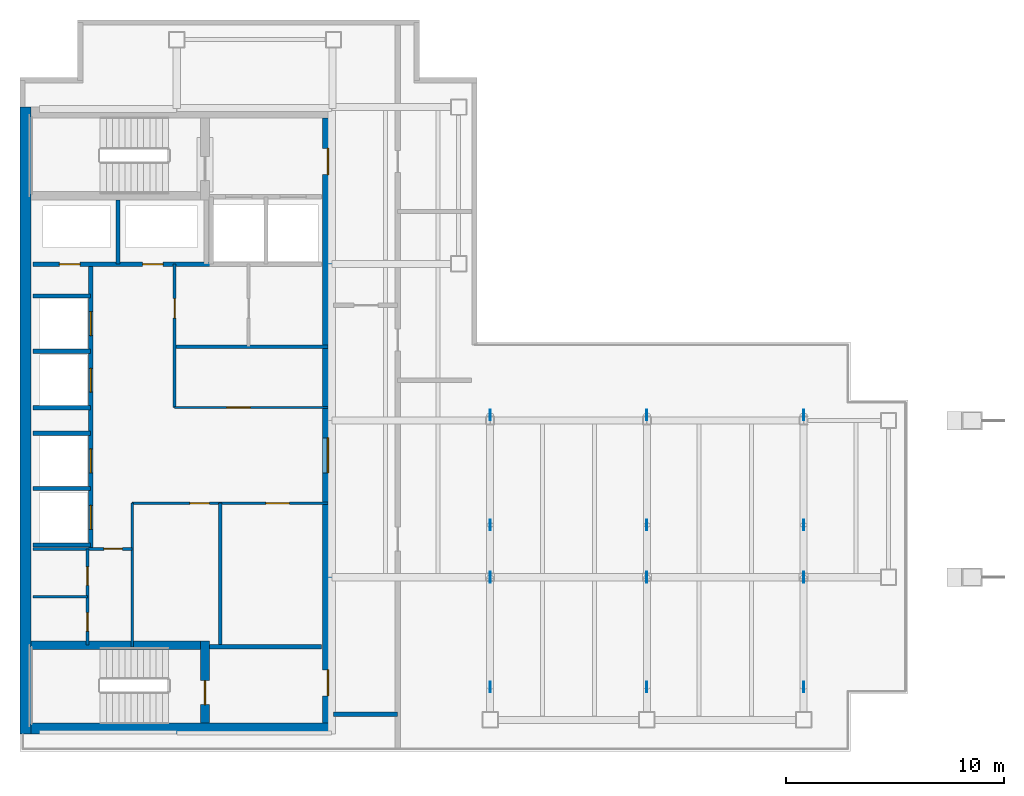
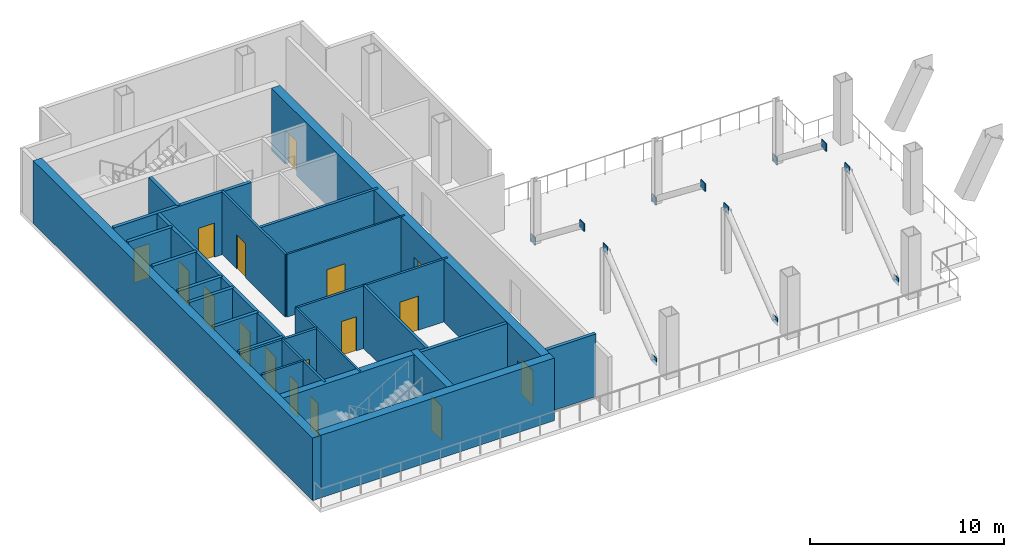
# One storey, part 3 of 5: 25 walls, 17 doors, 12 plates, 17 openings.
"""IFC4 building model written with IfcOpenShell, lengths in metres."""

from ifc_helpers import new_model, si_unit, direction, frame, frame_2d, origin, origin_2d, place, context, subcontext, project, spatial, rectangle, extrude, material, layer, layer_set, type_object, element, fill, save


model = new_model("IFC4")

# Units and contexts
model_context = context("Model", 3, precision=1e-05, world=origin(), true_north=direction((0.0, 1.0)))
body_context = subcontext(model_context, "Body", "Model", "MODEL_VIEW")
ifc_project = project(units=[si_unit("LENGTHUNIT", "METRE"), si_unit("AREAUNIT", "SQUARE_METRE"), si_unit("VOLUMEUNIT", "CUBIC_METRE"), si_unit("PLANEANGLEUNIT", "RADIAN"), si_unit("MASSUNIT", "GRAM", prefix="KILO")], contexts=[model_context])

# Site, building, storey
site_placement = place(None, origin())
site = spatial("IfcSite", under=ifc_project, at=site_placement, CompositionType="ELEMENT")
building_placement = place(site_placement, origin())
building = spatial("IfcBuilding", under=site, at=building_placement, Name="Cobrela Telecom Tower", CompositionType="ELEMENT")
storey_placement = place(building_placement, frame((0.0, 0.0, 236.949951171875)))
storey = spatial("IfcBuildingStorey", under=building, at=storey_placement, Name="L61", CompositionType="ELEMENT", Elevation=236.949951171875)

# Plates
ifc_material_1 = material(Name="Steel ASTM A572 Grade 50", Category="steel")
ifc_layer_1 = layer(ifc_material_1, 0.0419921875)
ifc_layer_set_1 = layer_set([ifc_layer_1], Name="Steel ASTM A572 Grade 50")
plate_type = type_object("IfcPlateType", Name="PLT-NODE-ND11", PredefinedType="USERDEFINED", material=ifc_layer_set_1)
for number, where, z_axis, x_axis, name in (
    (1, (21.60009765625, 9.35693359375, -0.241943359375), (0.0, 0.0, 1.0), (0.0, 1.0, 0.0), "Steel node plate PLT-MBR-TURB-1-L61-S-0"),
    (2, (21.60009765625, 14.39990234375, 3.697998046875), (0.0, 0.0, 1.0), (0.0, 1.0, 0.0), "Steel node plate PLT-MBR-TURB-1-L61-S-1"),
    (3, (21.60009765625, 21.843017578125, -0.241943359375), (0.0, 0.0, 1.0), (0.0, -1.0, 0.0), "Steel node plate PLT-MBR-TURB-1-L61-N-0"),
    (4, (21.60009765625, 16.800048828125, 3.697998046875), (0.0, 0.0, 1.0), (0.0, -1.0, 0.0), "Steel node plate PLT-MBR-TURB-1-L61-N-1"),
    (5, (28.800048828125, 9.35693359375, -0.241943359375), (0.0, 0.0, 1.0), (0.0, 1.0, 0.0), "Steel node plate PLT-MBR-TURB-2-L61-S-0"),
    (6, (28.800048828125, 14.39990234375, 3.697998046875), (0.0, 0.0, 1.0), (0.0, 1.0, 0.0), "Steel node plate PLT-MBR-TURB-2-L61-S-1"),
    (7, (28.800048828125, 21.843017578125, -0.241943359375), (0.0, 0.0, 1.0), (0.0, -1.0, 0.0), "Steel node plate PLT-MBR-TURB-2-L61-N-0"),
    (8, (28.800048828125, 16.800048828125, 3.697998046875), (0.0, 0.0, 1.0), (0.0, -1.0, 0.0), "Steel node plate PLT-MBR-TURB-2-L61-N-1"),
    (9, (36.0, 9.35693359375, -0.241943359375), (0.0, 0.0, 1.0), (0.0, 1.0, 0.0), "Steel node plate PLT-MBR-TURB-3-L61-S-0"),
    (10, (36.0, 14.39990234375, 3.697998046875), (0.0, 0.0, 1.0), (0.0, 1.0, 0.0), "Steel node plate PLT-MBR-TURB-3-L61-S-1"),
    (11, (36.0, 21.843017578125, -0.241943359375), (0.0, 0.0, 1.0), (0.0, -1.0, 0.0), "Steel node plate PLT-MBR-TURB-3-L61-N-0"),
    (12, (36.0, 16.800048828125, 3.697998046875), (0.0, 0.0, 1.0), (0.0, -1.0, 0.0), "Steel node plate PLT-MBR-TURB-3-L61-N-1"),
):
    element("IfcPlate", number, at=place(storey_placement, frame(where, z_axis=z_axis, x_axis=x_axis)), inside=storey, type_object=plate_type, Name=name, ObjectType="GUSSET PLATE", PredefinedType="USERDEFINED", context=body_context, shape_type="SweptSolid", body=[
        extrude(rectangle(XDim=0.48388671875, YDim=0.044921875, at=origin_2d()), origin(), (0.0, 0.0, 1.0), 0.48388671875),
    ])

# Walls
ifc_material_2 = material(Name="Concrete C40/50", Category="concrete")
ifc_layer_2 = layer(ifc_material_2, 0.5)
ifc_layer_set_2 = layer_set([ifc_layer_2], Name="Concrete C40/50")
wall_type_1 = type_object("IfcWallType", Name="WALL-CORE-C40-500", PredefinedType="SHEAR", material=ifc_layer_set_2)
wall_1_placement = place(storey_placement, frame((0.25, 7.199951171875, 0.0), z_axis=(0.0, 0.0, 1.0), x_axis=(0.0, 1.0, 0.0)))
element("IfcWall", 13, at=wall_1_placement, inside=storey, type_object=wall_type_1, Name="L61 West Core Shear Wall", PredefinedType="SHEAR", context=body_context, shape_type="SweptSolid", body=[
    extrude(rectangle(XDim=28.800048828125, YDim=0.5, at=frame_2d((14.39990234375, 0.0))), origin(), (0.0, 0.0, 1.0), 3.93994140625),
])
wall_2_placement = place(storey_placement, frame((0.5, 7.449951171875, 0.0), z_axis=(0.0, 0.0, 1.0), x_axis=(1.0, 0.0, 0.0)))
element("IfcWall", 14, at=wall_2_placement, inside=storey, type_object=wall_type_1, Name="L61 South Core Shear Wall", PredefinedType="SHEAR", context=body_context, shape_type="SweptSolid", body=[
    extrude(rectangle(XDim=13.89990234375, YDim=0.5, at=frame_2d((6.949951171875, 0.0))), origin(), (0.0, 0.0, 1.0), 3.93994140625),
])

# Wall, openings, doors
wall_3_placement = place(storey_placement, frame((14.14990234375, 35.5, 0.0), z_axis=(0.0, 0.0, 1.0), x_axis=(0.0, -1.0, 0.0)))
wall_3 = element("IfcWall", 15, at=wall_3_placement, inside=storey, type_object=wall_type_1, Name="L61 East Core Shear Wall", PredefinedType="SHEAR", context=body_context, shape_type="SweptSolid", body=[
    extrude(rectangle(XDim=27.800048828125, YDim=0.5, at=frame_2d((13.89990234375, 0.0))), origin(), (0.0, 0.0, 1.0), 3.93994140625),
])
opening_1_placement = place(wall_3_placement, frame((1.39990234375, 0.0, 0.0)))
opening_1 = element("IfcOpeningElement", 16, at=opening_1_placement, cuts=wall_3, Name="Opening DR-19", PredefinedType="OPENING", context=body_context, shape_type="SweptSolid", body=[
    extrude(rectangle(XDim=1.199951171875, YDim=2.14990234375, at=frame_2d((0.60009765625, 1.074951171875))), frame((0.0, 0.261962890625, 0.0), z_axis=(0.0, -1.0, 0.0), x_axis=(1.0, 0.0, 0.0)), (0.0, 0.0, 1.0), 0.52392578125),
])
opening_2_placement = place(wall_3_placement, frame((25.35009765625, 0.0, 0.0)))
opening_2 = element("IfcOpeningElement", 17, at=opening_2_placement, cuts=wall_3, Name="Opening DR-19", PredefinedType="OPENING", context=body_context, shape_type="SweptSolid", body=[
    extrude(rectangle(XDim=1.199951171875, YDim=2.14990234375, at=frame_2d((0.60009765625, 1.074951171875))), frame((0.0, 0.261962890625, 0.0), z_axis=(0.0, -1.0, 0.0), x_axis=(1.0, 0.0, 0.0)), (0.0, 0.0, 1.0), 0.52392578125),
])
opening_3_placement = place(wall_3_placement, frame((14.699951171875, 0.0, 0.0)))
opening_3 = element("IfcOpeningElement", 18, at=opening_3_placement, cuts=wall_3, Name="Opening DR-51", PredefinedType="OPENING", context=body_context, shape_type="SweptSolid", body=[
    extrude(rectangle(XDim=1.60009765625, YDim=2.199951171875, at=frame_2d((0.800048828125, 1.10009765625))), frame((0.0, 0.261962890625, 0.0), z_axis=(0.0, -1.0, 0.0), x_axis=(1.0, 0.0, 0.0)), (0.0, 0.0, 1.0), 0.52392578125),
])
ifc_material_3 = material(Name="Steel ASTM A36", Category="steel")
door_type_1 = type_object("IfcDoorType", Name="DOOR-FD60-1200", OperationType="SINGLE_SWING_LEFT", PredefinedType="DOOR", material=ifc_material_3)
door_1_placement = place(opening_1_placement, origin())
door_1 = element("IfcDoor", 19, at=door_1_placement, inside=storey, type_object=door_type_1, Name="L61 Door DR-19", OperationType="SINGLE_SWING_LEFT", OverallHeight=2.14990234375, OverallWidth=1.199951171875, PredefinedType="DOOR", context=body_context, shape_type="SweptSolid", body=[
    extrude(rectangle(XDim=1.199951171875, YDim=2.14990234375, at=frame_2d((0.60009765625, 1.074951171875))), frame((0.0, 0.02490234375, 0.0), z_axis=(0.0, -1.0, 0.0), x_axis=(1.0, 0.0, 0.0)), (0.0, 0.0, 1.0), 0.050048828125),
])
fill(opening_1, door_1)
door_2_placement = place(opening_2_placement, origin())
door_2 = element("IfcDoor", 20, at=door_2_placement, inside=storey, type_object=door_type_1, Name="L61 Door DR-19", OperationType="SINGLE_SWING_RIGHT", OverallHeight=2.14990234375, OverallWidth=1.199951171875, PredefinedType="DOOR", context=body_context, shape_type="SweptSolid", body=[
    extrude(rectangle(XDim=1.199951171875, YDim=2.14990234375, at=frame_2d((0.60009765625, 1.074951171875))), frame((0.0, 0.02490234375, 0.0), z_axis=(0.0, -1.0, 0.0), x_axis=(1.0, 0.0, 0.0)), (0.0, 0.0, 1.0), 0.050048828125),
])
fill(opening_2, door_2)
door_type_2 = type_object("IfcDoorType", Name="DOOR-FD60-1600", OperationType="SINGLE_SWING_LEFT", PredefinedType="DOOR", material=ifc_material_3)
door_3_placement = place(opening_3_placement, origin())
door_3 = element("IfcDoor", 21, at=door_3_placement, inside=storey, type_object=door_type_2, Name="L61 Door DR-51", OperationType="DOUBLE_DOOR_SINGLE_SWING", OverallHeight=2.199951171875, OverallWidth=1.60009765625, PredefinedType="DOOR", context=body_context, shape_type="SweptSolid", body=[
    extrude(rectangle(XDim=1.60009765625, YDim=2.199951171875, at=frame_2d((0.800048828125, 1.10009765625))), frame((0.0, 0.02490234375, 0.0), z_axis=(0.0, -1.0, 0.0), x_axis=(1.0, 0.0, 0.0)), (0.0, 0.0, 1.0), 0.050048828125),
])
fill(opening_3, door_3)

# Wall, opening, door
ifc_material_4 = material(Name="Fire-Rated Gypsum Plasterboard")
ifc_layer_3 = layer(ifc_material_4, 0.110107421875)
ifc_layer_set_3 = layer_set([ifc_layer_3], Name="Fire-Rated Gypsum Plasterboard")
wall_type_2 = type_object("IfcWallType", Name="WALL-PART-110", PredefinedType="PARTITIONING", material=ifc_layer_set_3)
wall_4_placement = place(storey_placement, frame((7.10009765625, 22.199951171875, 0.0), z_axis=(0.0, 0.0, 1.0), x_axis=(1.0, 0.0, 0.0)))
wall_4 = element("IfcWall", 22, at=wall_4_placement, inside=storey, type_object=wall_type_2, Name="L61 Interior Partition CW-RECL-S", PredefinedType="PARTITIONING", context=body_context, shape_type="SweptSolid", body=[
    extrude(rectangle(XDim=7.0498046875, YDim=0.110107421875, at=frame_2d((3.52490234375, 0.0))), origin(), (0.0, 0.0, 1.0), 3.93994140625),
])
opening_4_placement = place(wall_4_placement, frame((2.39990234375, 0.0, 0.0)))
opening_4 = element("IfcOpeningElement", 23, at=opening_4_placement, cuts=wall_4, Name="Opening DR-63", PredefinedType="OPENING", context=body_context, shape_type="SweptSolid", body=[
    extrude(rectangle(XDim=1.080078125, YDim=2.14990234375, at=frame_2d((0.5400390625, 1.074951171875))), frame((0.0, 0.06689453125, 0.0), z_axis=(0.0, -1.0, 0.0), x_axis=(1.0, 0.0, 0.0)), (0.0, 0.0, 1.0), 0.134033203125),
])
ifc_material_5 = material(Name="Solid Engineered Oak Timber", Category="wood")
door_type_3 = type_object("IfcDoorType", Name="DOOR-INT-1080", OperationType="SINGLE_SWING_LEFT", PredefinedType="DOOR", material=ifc_material_5)
door_4_placement = place(opening_4_placement, origin())
door_4 = element("IfcDoor", 24, at=door_4_placement, inside=storey, type_object=door_type_3, Name="L61 Door DR-63", OperationType="SINGLE_SWING_LEFT", OverallHeight=2.14990234375, OverallWidth=1.080078125, PredefinedType="DOOR", context=body_context, shape_type="SweptSolid", body=[
    extrude(rectangle(XDim=1.080078125, YDim=2.14990234375, at=frame_2d((0.5400390625, 1.074951171875))), frame((0.0, 0.02490234375, 0.0), z_axis=(0.0, -1.0, 0.0), x_axis=(1.0, 0.0, 0.0)), (0.0, 0.0, 1.0), 0.050048828125),
])
fill(opening_4, door_4)

# Walls
wall_5_placement = place(storey_placement, frame((5.14990234375, 11.199951171875, 0.0), z_axis=(0.0, 0.0, 1.0), x_axis=(0.0, 1.0, 0.0)))
element("IfcWall", 25, at=wall_5_placement, inside=storey, type_object=wall_type_2, Name="L61 Interior Partition CW-RECM-W", PredefinedType="PARTITIONING", context=body_context, shape_type="SweptSolid", body=[
    extrude(rectangle(XDim=6.60009765625, YDim=0.110107421875, at=frame_2d((3.300048828125, 0.0))), origin(), (0.0, 0.0, 1.0), 3.93994140625),
])
ifc_layer_4 = layer(ifc_material_4, 0.125)
ifc_layer_set_4 = layer_set([ifc_layer_4], Name="Fire-Rated Gypsum Plasterboard")
wall_type_3 = type_object("IfcWallType", Name="WALL-PART-125", PredefinedType="PARTITIONING", material=ifc_layer_set_4)
wall_6_placement = place(storey_placement, frame((0.60009765625, 13.5, 0.0), z_axis=(0.0, 0.0, 1.0), x_axis=(1.0, 0.0, 0.0)))
element("IfcWall", 26, at=wall_6_placement, inside=storey, type_object=wall_type_3, Name="L61 Interior Partition CW-FK3-H", PredefinedType="PARTITIONING", context=body_context, shape_type="SweptSolid", body=[
    extrude(rectangle(XDim=2.5, YDim=0.125, at=frame_2d((1.25, 0.0))), origin(), (0.0, 0.0, 1.0), 3.93994140625),
])

# Wall, openings, doors
wall_7_placement = place(storey_placement, frame((3.10009765625, 11.280029296875, 0.0), z_axis=(0.0, 0.0, 1.0), x_axis=(0.0, 1.0, 0.0)))
wall_7 = element("IfcWall", 27, at=wall_7_placement, inside=storey, type_object=wall_type_3, Name="L61 Interior Partition CW-FK3-V", PredefinedType="PARTITIONING", context=body_context, shape_type="SweptSolid", body=[
    extrude(rectangle(XDim=4.419921875, YDim=0.125, at=frame_2d((2.2099609375, 0.0))), origin(), (0.0, 0.0, 1.0), 3.93994140625),
])
opening_5_placement = place(wall_7_placement, frame((0.64990234375, 0.0, 0.0)))
opening_5 = element("IfcOpeningElement", 28, at=opening_5_placement, cuts=wall_7, Name="Opening DR-11", PredefinedType="OPENING", context=body_context, shape_type="SweptSolid", body=[
    extrude(rectangle(XDim=0.85009765625, YDim=2.14990234375, at=frame_2d((0.425048828125, 1.074951171875))), frame((0.0, 0.074462890625, 0.0), z_axis=(0.0, -1.0, 0.0), x_axis=(1.0, 0.0, 0.0)), (0.0, 0.0, 1.0), 0.14892578125),
])
opening_6_placement = place(wall_7_placement, frame((2.75, 0.0, 0.0)))
opening_6 = element("IfcOpeningElement", 29, at=opening_6_placement, cuts=wall_7, Name="Opening DR-11", PredefinedType="OPENING", context=body_context, shape_type="SweptSolid", body=[
    extrude(rectangle(XDim=0.85009765625, YDim=2.14990234375, at=frame_2d((0.425048828125, 1.074951171875))), frame((0.0, 0.074462890625, 0.0), z_axis=(0.0, -1.0, 0.0), x_axis=(1.0, 0.0, 0.0)), (0.0, 0.0, 1.0), 0.14892578125),
])
door_type_4 = type_object("IfcDoorType", Name="DOOR-INT-850", OperationType="SINGLE_SWING_LEFT", PredefinedType="DOOR", material=ifc_material_5)
door_5_placement = place(opening_5_placement, origin())
door_5 = element("IfcDoor", 30, at=door_5_placement, inside=storey, type_object=door_type_4, Name="L61 Door DR-11", OperationType="SINGLE_SWING_LEFT", OverallHeight=2.14990234375, OverallWidth=0.85009765625, PredefinedType="DOOR", context=body_context, shape_type="SweptSolid", body=[
    extrude(rectangle(XDim=0.85009765625, YDim=2.14990234375, at=frame_2d((0.425048828125, 1.074951171875))), frame((0.0, 0.02490234375, 0.0), z_axis=(0.0, -1.0, 0.0), x_axis=(1.0, 0.0, 0.0)), (0.0, 0.0, 1.0), 0.050048828125),
])
fill(opening_5, door_5)
door_6_placement = place(opening_6_placement, origin())
door_6 = element("IfcDoor", 31, at=door_6_placement, inside=storey, type_object=door_type_4, Name="L61 Door DR-11", OperationType="SINGLE_SWING_RIGHT", OverallHeight=2.14990234375, OverallWidth=0.85009765625, PredefinedType="DOOR", context=body_context, shape_type="SweptSolid", body=[
    extrude(rectangle(XDim=0.85009765625, YDim=2.14990234375, at=frame_2d((0.425048828125, 1.074951171875))), frame((0.0, 0.02490234375, 0.0), z_axis=(0.0, -1.0, 0.0), x_axis=(1.0, 0.0, 0.0)), (0.0, 0.0, 1.0), 0.050048828125),
])
fill(opening_6, door_6)

# Wall, opening, door
ifc_layer_5 = layer(ifc_material_4, 0.135009765625)
ifc_layer_set_5 = layer_set([ifc_layer_5], Name="Fire-Rated Gypsum Plasterboard")
wall_type_4 = type_object("IfcWallType", Name="WALL-PART-135", PredefinedType="PARTITIONING", material=ifc_layer_set_5)
wall_8_placement = place(storey_placement, frame((7.10009765625, 22.199951171875, 0.0), z_axis=(0.0, 0.0, 1.0), x_axis=(0.0, 1.0, 0.0)))
wall_8 = element("IfcWall", 32, at=wall_8_placement, inside=storey, type_object=wall_type_4, Name="L61 Interior Partition CW-RECL-W", PredefinedType="PARTITIONING", context=body_context, shape_type="SweptSolid", body=[
    extrude(rectangle(XDim=6.580078125, YDim=0.135009765625, at=frame_2d((3.2900390625, 0.0))), origin(), (0.0, 0.0, 1.0), 3.93994140625),
])
opening_7_placement = place(wall_8_placement, frame((4.10009765625, 0.0, 0.0)))
opening_7 = element("IfcOpeningElement", 33, at=opening_7_placement, cuts=wall_8, Name="Opening DR-41", PredefinedType="OPENING", context=body_context, shape_type="SweptSolid", body=[
    extrude(rectangle(XDim=0.89990234375, YDim=2.14990234375, at=frame_2d((0.449951171875, 1.074951171875))), frame((0.0, 0.07958984375, 0.0), z_axis=(0.0, -1.0, 0.0), x_axis=(1.0, 0.0, 0.0)), (0.0, 0.0, 1.0), 0.158935546875),
])
door_type_5 = type_object("IfcDoorType", Name="DOOR-INT-900", OperationType="SINGLE_SWING_LEFT", PredefinedType="DOOR", material=ifc_material_5)
door_7_placement = place(opening_7_placement, origin())
door_7 = element("IfcDoor", 34, at=door_7_placement, inside=storey, type_object=door_type_5, Name="L61 Door DR-41", OperationType="SINGLE_SWING_RIGHT", OverallHeight=2.14990234375, OverallWidth=0.89990234375, PredefinedType="DOOR", context=body_context, shape_type="SweptSolid", body=[
    extrude(rectangle(XDim=0.89990234375, YDim=2.14990234375, at=frame_2d((0.449951171875, 1.074951171875))), frame((0.0, 0.02490234375, 0.0), z_axis=(0.0, -1.0, 0.0), x_axis=(1.0, 0.0, 0.0)), (0.0, 0.0, 1.0), 0.050048828125),
])
fill(opening_7, door_7)

# Wall, openings, doors
wall_9_placement = place(storey_placement, frame((5.14990234375, 17.800048828125, 0.0), z_axis=(0.0, 0.0, 1.0), x_axis=(1.0, 0.0, 0.0)))
wall_9 = element("IfcWall", 35, at=wall_9_placement, inside=storey, type_object=wall_type_4, Name="L61 Interior Partition CW-RECM-N", PredefinedType="PARTITIONING", context=body_context, shape_type="SweptSolid", body=[
    extrude(rectangle(XDim=9.0, YDim=0.135009765625, at=frame_2d((4.5, 0.0))), origin(), (0.0, 0.0, 1.0), 3.93994140625),
])
opening_8_placement = place(wall_9_placement, frame((2.64990234375, 0.0, 0.0)))
opening_8 = element("IfcOpeningElement", 36, at=opening_8_placement, cuts=wall_9, Name="Opening DR-41", PredefinedType="OPENING", context=body_context, shape_type="SweptSolid", body=[
    extrude(rectangle(XDim=0.89990234375, YDim=2.14990234375, at=frame_2d((0.449951171875, 1.074951171875))), frame((0.0, 0.07958984375, 0.0), z_axis=(0.0, -1.0, 0.0), x_axis=(1.0, 0.0, 0.0)), (0.0, 0.0, 1.0), 0.158935546875),
])
opening_9_placement = place(wall_9_placement, frame((6.14990234375, 0.0, 0.0)))
opening_9 = element("IfcOpeningElement", 37, at=opening_9_placement, cuts=wall_9, Name="Opening DR-63", PredefinedType="OPENING", context=body_context, shape_type="SweptSolid", body=[
    extrude(rectangle(XDim=1.080078125, YDim=2.14990234375, at=frame_2d((0.5400390625, 1.074951171875))), frame((0.0, 0.07958984375, 0.0), z_axis=(0.0, -1.0, 0.0), x_axis=(1.0, 0.0, 0.0)), (0.0, 0.0, 1.0), 0.158935546875),
])
door_8_placement = place(opening_9_placement, origin())
door_8 = element("IfcDoor", 38, at=door_8_placement, inside=storey, type_object=door_type_3, Name="L61 Door DR-63", OperationType="SINGLE_SWING_RIGHT", OverallHeight=2.14990234375, OverallWidth=1.080078125, PredefinedType="DOOR", context=body_context, shape_type="SweptSolid", body=[
    extrude(rectangle(XDim=1.080078125, YDim=2.14990234375, at=frame_2d((0.5400390625, 1.074951171875))), frame((0.0, 0.02490234375, 0.0), z_axis=(0.0, -1.0, 0.0), x_axis=(1.0, 0.0, 0.0)), (0.0, 0.0, 1.0), 0.050048828125),
])
fill(opening_9, door_8)
door_9_placement = place(opening_8_placement, origin())
door_9 = element("IfcDoor", 39, at=door_9_placement, inside=storey, type_object=door_type_5, Name="L61 Door DR-41", OperationType="SINGLE_SWING_LEFT", OverallHeight=2.14990234375, OverallWidth=0.89990234375, PredefinedType="DOOR", context=body_context, shape_type="SweptSolid", body=[
    extrude(rectangle(XDim=0.89990234375, YDim=2.14990234375, at=frame_2d((0.449951171875, 1.074951171875))), frame((0.0, 0.02490234375, 0.0), z_axis=(0.0, -1.0, 0.0), x_axis=(1.0, 0.0, 0.0)), (0.0, 0.0, 1.0), 0.050048828125),
])
fill(opening_8, door_9)

# Wall, opening, door
ifc_layer_6 = layer(ifc_material_4, 0.14990234375)
ifc_layer_set_6 = layer_set([ifc_layer_6], Name="Fire-Rated Gypsum Plasterboard")
wall_type_5 = type_object("IfcWallType", Name="WALL-PART-150", PredefinedType="PARTITIONING", material=ifc_layer_set_6)
wall_10_placement = place(storey_placement, frame((0.60009765625, 15.699951171875, 0.0), z_axis=(0.0, 0.0, 1.0), x_axis=(1.0, 0.0, 0.0)))
wall_10 = element("IfcWall", 40, at=wall_10_placement, inside=storey, type_object=wall_type_5, Name="L61 Interior Partition CW-FLEX-N", PredefinedType="PARTITIONING", context=body_context, shape_type="SweptSolid", body=[
    extrude(rectangle(XDim=4.5498046875, YDim=0.14990234375, at=frame_2d((2.27490234375, 0.0))), origin(), (0.0, 0.0, 1.0), 3.93994140625),
])
opening_10_placement = place(wall_10_placement, frame((3.25, 0.0, 0.0)))
opening_10 = element("IfcOpeningElement", 41, at=opening_10_placement, cuts=wall_10, Name="Opening DR-11", PredefinedType="OPENING", context=body_context, shape_type="SweptSolid", body=[
    extrude(rectangle(XDim=0.85009765625, YDim=2.14990234375, at=frame_2d((0.425048828125, 1.074951171875))), frame((0.0, 0.0869140625, 0.0), z_axis=(0.0, -1.0, 0.0), x_axis=(1.0, 0.0, 0.0)), (0.0, 0.0, 1.0), 0.173828125),
])
door_10_placement = place(opening_10_placement, origin())
door_10 = element("IfcDoor", 42, at=door_10_placement, inside=storey, type_object=door_type_4, Name="L61 Door DR-11", OperationType="SINGLE_SWING_LEFT", OverallHeight=2.14990234375, OverallWidth=0.85009765625, PredefinedType="DOOR", context=body_context, shape_type="SweptSolid", body=[
    extrude(rectangle(XDim=0.85009765625, YDim=2.14990234375, at=frame_2d((0.425048828125, 1.074951171875))), frame((0.0, 0.02490234375, 0.0), z_axis=(0.0, -1.0, 0.0), x_axis=(1.0, 0.0, 0.0)), (0.0, 0.0, 1.0), 0.050048828125),
])
fill(opening_10, door_10)

# Walls
ifc_layer_7 = layer(ifc_material_4, 0.159912109375)
ifc_layer_set_7 = layer_set([ifc_layer_7], Name="Fire-Rated Gypsum Plasterboard")
wall_type_6 = type_object("IfcWallType", Name="WALL-PART-160", PredefinedType="PARTITIONING", material=ifc_layer_set_7)
wall_11_placement = place(storey_placement, frame((7.10009765625, 25.0, 0.0), z_axis=(0.0, 0.0, 1.0), x_axis=(1.0, 0.0, 0.0)))
element("IfcWall", 43, at=wall_11_placement, inside=storey, type_object=wall_type_6, Name="L61 Interior Partition CW-RECL-H", PredefinedType="PARTITIONING", context=body_context, shape_type="SweptSolid", body=[
    extrude(rectangle(XDim=7.0498046875, YDim=0.159912109375, at=frame_2d((3.52490234375, 0.0))), origin(), (0.0, 0.0, 1.0), 3.93994140625),
])
wall_12_placement = place(storey_placement, frame((9.199951171875, 11.199951171875, 0.0), z_axis=(0.0, 0.0, 1.0), x_axis=(0.0, 1.0, 0.0)))
element("IfcWall", 44, at=wall_12_placement, inside=storey, type_object=wall_type_6, Name="L61 Interior Partition CW-RECM-V", PredefinedType="PARTITIONING", context=body_context, shape_type="SweptSolid", body=[
    extrude(rectangle(XDim=6.60009765625, YDim=0.159912109375, at=frame_2d((3.300048828125, 0.0))), origin(), (0.0, 0.0, 1.0), 3.93994140625),
])
ifc_layer_8 = layer(ifc_material_4, 0.199951171875)
ifc_layer_set_8 = layer_set([ifc_layer_8], Name="Fire-Rated Gypsum Plasterboard")
wall_type_7 = type_object("IfcWallType", Name="WALL-SHAFT-200", PredefinedType="PARTITIONING", material=ifc_layer_set_8)
wall_13_placement = place(storey_placement, frame((8.699951171875, 11.199951171875, 0.0), z_axis=(0.0, 0.0, 1.0), x_axis=(1.0, 0.0, 0.0)))
element("IfcWall", 45, at=wall_13_placement, inside=storey, type_object=wall_type_7, Name="L61 Shaft Enclosure CW-ST2L-N", PredefinedType="PARTITIONING", context=body_context, shape_type="SweptSolid", body=[
    extrude(rectangle(XDim=5.150146484375, YDim=0.199951171875, at=frame_2d((2.5751953125, 0.0))), origin(), (0.0, 0.0, 1.0), 3.93994140625),
])

# Wall, openings, doors
wall_14_placement = place(storey_placement, frame((0.60009765625, 28.780029296875, 0.0), z_axis=(0.0, 0.0, 1.0), x_axis=(1.0, 0.0, 0.0)))
wall_14 = element("IfcWall", 46, at=wall_14_placement, inside=storey, type_object=wall_type_7, Name="L61 Shaft Enclosure CW-RIS-S", PredefinedType="PARTITIONING", context=body_context, shape_type="SweptSolid", body=[
    extrude(rectangle(XDim=8.179931640625, YDim=0.199951171875, at=frame_2d((4.08984375, 0.0))), origin(), (0.0, 0.0, 1.0), 3.93994140625),
])
opening_11_placement = place(wall_14_placement, frame((1.2099609375, 0.0, 0.0)))
opening_11 = element("IfcOpeningElement", 47, at=opening_11_placement, cuts=wall_14, Name="Opening DR-65", PredefinedType="OPENING", context=body_context, shape_type="SweptSolid", body=[
    extrude(rectangle(XDim=0.949951171875, YDim=2.14990234375, at=frame_2d((0.47509765625, 1.074951171875))), frame((0.0, 0.11181640625, 0.0), z_axis=(0.0, -1.0, 0.0), x_axis=(1.0, 0.0, 0.0)), (0.0, 0.0, 1.0), 0.223876953125),
])
opening_12_placement = place(wall_14_placement, frame((5.030029296875, 0.0, 0.0)))
opening_12 = element("IfcOpeningElement", 48, at=opening_12_placement, cuts=wall_14, Name="Opening DR-65", PredefinedType="OPENING", context=body_context, shape_type="SweptSolid", body=[
    extrude(rectangle(XDim=0.949951171875, YDim=2.14990234375, at=frame_2d((0.47509765625, 1.074951171875))), frame((0.0, 0.11181640625, 0.0), z_axis=(0.0, -1.0, 0.0), x_axis=(1.0, 0.0, 0.0)), (0.0, 0.0, 1.0), 0.223876953125),
])
door_type_6 = type_object("IfcDoorType", Name="DOOR-FD60-950", OperationType="SINGLE_SWING_LEFT", PredefinedType="DOOR", material=ifc_material_3)
door_11_placement = place(opening_11_placement, origin())
door_11 = element("IfcDoor", 49, at=door_11_placement, inside=storey, type_object=door_type_6, Name="L61 Door DR-65", OperationType="SINGLE_SWING_LEFT", OverallHeight=2.14990234375, OverallWidth=0.949951171875, PredefinedType="DOOR", context=body_context, shape_type="SweptSolid", body=[
    extrude(rectangle(XDim=0.949951171875, YDim=2.14990234375, at=frame_2d((0.47509765625, 1.074951171875))), frame((0.0, 0.02490234375, 0.0), z_axis=(0.0, -1.0, 0.0), x_axis=(1.0, 0.0, 0.0)), (0.0, 0.0, 1.0), 0.050048828125),
])
fill(opening_11, door_11)
door_12_placement = place(opening_12_placement, origin())
door_12 = element("IfcDoor", 50, at=door_12_placement, inside=storey, type_object=door_type_6, Name="L61 Door DR-65", OperationType="SINGLE_SWING_RIGHT", OverallHeight=2.14990234375, OverallWidth=0.949951171875, PredefinedType="DOOR", context=body_context, shape_type="SweptSolid", body=[
    extrude(rectangle(XDim=0.949951171875, YDim=2.14990234375, at=frame_2d((0.47509765625, 1.074951171875))), frame((0.0, 0.02490234375, 0.0), z_axis=(0.0, -1.0, 0.0), x_axis=(1.0, 0.0, 0.0)), (0.0, 0.0, 1.0), 0.050048828125),
])
fill(opening_12, door_12)

# Wall
wall_15_placement = place(storey_placement, frame((4.5, 28.780029296875, 0.0), z_axis=(0.0, 0.0, 1.0), x_axis=(0.0, 1.0, 0.0)))
element("IfcWall", 51, at=wall_15_placement, inside=storey, type_object=wall_type_7, Name="L61 Shaft Enclosure CW-RIS-M", PredefinedType="PARTITIONING", context=body_context, shape_type="SweptSolid", body=[
    extrude(rectangle(XDim=2.93994140625, YDim=0.199951171875, at=frame_2d((1.469970703125, 0.0))), origin(), (0.0, 0.0, 1.0), 3.93994140625),
])

# Wall, openings, doors
wall_16_placement = place(storey_placement, frame((3.25, 15.699951171875, 0.0), z_axis=(0.0, 0.0, 1.0), x_axis=(0.0, 1.0, 0.0)))
wall_16 = element("IfcWall", 52, at=wall_16_placement, inside=storey, type_object=wall_type_7, Name="L61 Shaft Enclosure CW-PLH-E", PredefinedType="PARTITIONING", context=body_context, shape_type="SweptSolid", body=[
    extrude(rectangle(XDim=13.080078125, YDim=0.199951171875, at=frame_2d((6.5400390625, 0.0))), origin(), (0.0, 0.0, 1.0), 3.93994140625),
])
opening_13_placement = place(wall_16_placement, frame((0.89990234375, 0.0, 0.0)))
opening_13 = element("IfcOpeningElement", 53, at=opening_13_placement, cuts=wall_16, Name="Opening LD-1", PredefinedType="OPENING", context=body_context, shape_type="SweptSolid", body=[
    extrude(rectangle(XDim=1.10009765625, YDim=2.199951171875, at=frame_2d((0.550048828125, 1.10009765625))), frame((0.0, 0.11181640625, 0.0), z_axis=(0.0, -1.0, 0.0), x_axis=(1.0, 0.0, 0.0)), (0.0, 0.0, 1.0), 0.223876953125),
])
opening_14_placement = place(wall_16_placement, frame((3.5, 0.0, 0.0)))
opening_14 = element("IfcOpeningElement", 54, at=opening_14_placement, cuts=wall_16, Name="Opening LD-1", PredefinedType="OPENING", context=body_context, shape_type="SweptSolid", body=[
    extrude(rectangle(XDim=1.10009765625, YDim=2.199951171875, at=frame_2d((0.550048828125, 1.10009765625))), frame((0.0, 0.11181640625, 0.0), z_axis=(0.0, -1.0, 0.0), x_axis=(1.0, 0.0, 0.0)), (0.0, 0.0, 1.0), 0.223876953125),
])
opening_15_placement = place(wall_16_placement, frame((7.199951171875, 0.0, 0.0)))
opening_15 = element("IfcOpeningElement", 55, at=opening_15_placement, cuts=wall_16, Name="Opening LD-1", PredefinedType="OPENING", context=body_context, shape_type="SweptSolid", body=[
    extrude(rectangle(XDim=1.10009765625, YDim=2.199951171875, at=frame_2d((0.550048828125, 1.10009765625))), frame((0.0, 0.11181640625, 0.0), z_axis=(0.0, -1.0, 0.0), x_axis=(1.0, 0.0, 0.0)), (0.0, 0.0, 1.0), 0.223876953125),
])
opening_16_placement = place(wall_16_placement, frame((9.800048828125, 0.0, 0.0)))
opening_16 = element("IfcOpeningElement", 56, at=opening_16_placement, cuts=wall_16, Name="Opening LD-1", PredefinedType="OPENING", context=body_context, shape_type="SweptSolid", body=[
    extrude(rectangle(XDim=1.10009765625, YDim=2.199951171875, at=frame_2d((0.550048828125, 1.10009765625))), frame((0.0, 0.11181640625, 0.0), z_axis=(0.0, -1.0, 0.0), x_axis=(1.0, 0.0, 0.0)), (0.0, 0.0, 1.0), 0.223876953125),
])
door_type_7 = type_object("IfcDoorType", Name="DOOR-LD-PL", OperationType="SINGLE_SWING_LEFT", PredefinedType="DOOR", material=ifc_material_3)
door_13_placement = place(opening_13_placement, origin())
door_13 = element("IfcDoor", 57, at=door_13_placement, inside=storey, type_object=door_type_7, Name="L61 Lift Landing Door LD-1", OperationType="DOUBLE_DOOR_SLIDING", OverallHeight=2.199951171875, OverallWidth=1.10009765625, PredefinedType="DOOR", context=body_context, shape_type="SweptSolid", body=[
    extrude(rectangle(XDim=1.10009765625, YDim=2.199951171875, at=frame_2d((0.550048828125, 1.10009765625))), frame((0.0, 0.02490234375, 0.0), z_axis=(0.0, -1.0, 0.0), x_axis=(1.0, 0.0, 0.0)), (0.0, 0.0, 1.0), 0.050048828125),
])
fill(opening_13, door_13)
door_14_placement = place(opening_14_placement, origin())
door_14 = element("IfcDoor", 58, at=door_14_placement, inside=storey, type_object=door_type_7, Name="L61 Lift Landing Door LD-1", OperationType="DOUBLE_DOOR_SLIDING", OverallHeight=2.199951171875, OverallWidth=1.10009765625, PredefinedType="DOOR", context=body_context, shape_type="SweptSolid", body=[
    extrude(rectangle(XDim=1.10009765625, YDim=2.199951171875, at=frame_2d((0.550048828125, 1.10009765625))), frame((0.0, 0.02490234375, 0.0), z_axis=(0.0, -1.0, 0.0), x_axis=(1.0, 0.0, 0.0)), (0.0, 0.0, 1.0), 0.050048828125),
])
fill(opening_14, door_14)
door_15_placement = place(opening_15_placement, origin())
door_15 = element("IfcDoor", 59, at=door_15_placement, inside=storey, type_object=door_type_7, Name="L61 Lift Landing Door LD-1", OperationType="DOUBLE_DOOR_SLIDING", OverallHeight=2.199951171875, OverallWidth=1.10009765625, PredefinedType="DOOR", context=body_context, shape_type="SweptSolid", body=[
    extrude(rectangle(XDim=1.10009765625, YDim=2.199951171875, at=frame_2d((0.550048828125, 1.10009765625))), frame((0.0, 0.02490234375, 0.0), z_axis=(0.0, -1.0, 0.0), x_axis=(1.0, 0.0, 0.0)), (0.0, 0.0, 1.0), 0.050048828125),
])
fill(opening_15, door_15)
door_16_placement = place(opening_16_placement, origin())
door_16 = element("IfcDoor", 60, at=door_16_placement, inside=storey, type_object=door_type_7, Name="L61 Lift Landing Door LD-1", OperationType="DOUBLE_DOOR_SLIDING", OverallHeight=2.199951171875, OverallWidth=1.10009765625, PredefinedType="DOOR", context=body_context, shape_type="SweptSolid", body=[
    extrude(rectangle(XDim=1.10009765625, YDim=2.199951171875, at=frame_2d((0.550048828125, 1.10009765625))), frame((0.0, 0.02490234375, 0.0), z_axis=(0.0, -1.0, 0.0), x_axis=(1.0, 0.0, 0.0)), (0.0, 0.0, 1.0), 0.050048828125),
])
fill(opening_16, door_16)

# Walls
for number, where, z_axis, x_axis, name in (
    (61, (0.60009765625, 15.8798828125, 0.0), (0.0, 0.0, 1.0), (1.0, 0.0, 0.0), "L61 Shaft Enclosure CW-PLH-D9"),
    (62, (0.60009765625, 18.47998046875, 0.0), (0.0, 0.0, 1.0), (1.0, 0.0, 0.0), "L61 Shaft Enclosure CW-PLH-D10"),
    (63, (0.60009765625, 22.179931640625, 0.0), (0.0, 0.0, 1.0), (1.0, 0.0, 0.0), "L61 Shaft Enclosure CW-PLH-D11"),
    (64, (0.60009765625, 24.780029296875, 0.0), (0.0, 0.0, 1.0), (1.0, 0.0, 0.0), "L61 Shaft Enclosure CW-PLH-D12"),
    (65, (0.60009765625, 21.02001953125, 0.0), (0.0, 0.0, 1.0), (1.0, 0.0, 0.0), "L61 Shaft Enclosure CW-PLH-MID"),
    (66, (0.60009765625, 27.320068359375, 0.0), (0.0, 0.0, 1.0), (1.0, 0.0, 0.0), "L61 Shaft Enclosure CW-PLH-TOP"),
):
    element("IfcWall", number, at=place(storey_placement, frame(where, z_axis=z_axis, x_axis=x_axis)), inside=storey, type_object=wall_type_7, Name=name, PredefinedType="PARTITIONING", context=body_context, shape_type="SweptSolid", body=[
        extrude(rectangle(XDim=2.64990234375, YDim=0.199951171875, at=frame_2d((1.324951171875, 0.0))), origin(), (0.0, 0.0, 1.0), 3.93994140625),
    ])
wall_17_placement = place(storey_placement, frame((14.39990234375, 8.10009765625, 0.0), z_axis=(0.0, 0.0, 1.0), x_axis=(1.0, 0.0, 0.0)))
element("IfcWall", 67, at=wall_17_placement, inside=storey, type_object=wall_type_7, Name="L61 Shaft Enclosure W-TB-S", PredefinedType="PARTITIONING", context=body_context, shape_type="SweptSolid", body=[
    extrude(rectangle(XDim=2.9501953125, YDim=0.199951171875, at=frame_2d((1.47509765625, 0.0))), origin(), (0.0, 0.0, 1.0), 3.93994140625),
])
ifc_layer_9 = layer(ifc_material_2, 0.39990234375)
ifc_layer_set_9 = layer_set([ifc_layer_9], Name="Concrete C40/50")
wall_type_8 = type_object("IfcWallType", Name="WALL-SHAFT-C40-400", PredefinedType="SHEAR", material=ifc_layer_set_9)
wall_18_placement = place(storey_placement, frame((0.5, 11.280029296875, 0.0), z_axis=(0.0, 0.0, 1.0), x_axis=(1.0, 0.0, 0.0)))
element("IfcWall", 68, at=wall_18_placement, inside=storey, type_object=wall_type_8, Name="L61 South Stair Shear Wall", PredefinedType="SHEAR", context=body_context, shape_type="SweptSolid", body=[
    extrude(rectangle(XDim=7.800048828125, YDim=0.39990234375, at=frame_2d((3.89990234375, 0.0))), origin(), (0.0, 0.0, 1.0), 3.93994140625),
])

# Wall, opening, door
wall_19_placement = place(storey_placement, frame((8.5, 7.699951171875, 0.0), z_axis=(0.0, 0.0, 1.0), x_axis=(0.0, 1.0, 0.0)))
wall_19 = element("IfcWall", 69, at=wall_19_placement, inside=storey, type_object=wall_type_8, Name="L61 South Stair Lobby Shear Wall", PredefinedType="SHEAR", context=body_context, shape_type="SweptSolid", body=[
    extrude(rectangle(XDim=3.780029296875, YDim=0.39990234375, at=frame_2d((1.89013671875, 0.0))), origin(), (0.0, 0.0, 1.0), 3.93994140625),
])
opening_17_placement = place(wall_19_placement, frame((0.85009765625, 0.0, 0.0)))
opening_17 = element("IfcOpeningElement", 70, at=opening_17_placement, cuts=wall_19, Name="Opening FD-90", PredefinedType="OPENING", context=body_context, shape_type="SweptSolid", body=[
    extrude(rectangle(XDim=1.10009765625, YDim=2.14990234375, at=frame_2d((0.550048828125, 1.074951171875))), frame((0.0, 0.2119140625, 0.0), z_axis=(0.0, -1.0, 0.0), x_axis=(1.0, 0.0, 0.0)), (0.0, 0.0, 1.0), 0.423828125),
])
door_type_8 = type_object("IfcDoorType", Name="DOOR-FD90-1100", OperationType="SINGLE_SWING_LEFT", PredefinedType="DOOR", material=ifc_material_3)
door_17_placement = place(opening_17_placement, origin())
door_17 = element("IfcDoor", 71, at=door_17_placement, inside=storey, type_object=door_type_8, Name="L61 Door FD-90", OperationType="SINGLE_SWING_LEFT", OverallHeight=2.14990234375, OverallWidth=1.10009765625, PredefinedType="DOOR", context=body_context, shape_type="SweptSolid", body=[
    extrude(rectangle(XDim=1.10009765625, YDim=2.14990234375, at=frame_2d((0.550048828125, 1.074951171875))), frame((0.0, 0.02490234375, 0.0), z_axis=(0.0, -1.0, 0.0), x_axis=(1.0, 0.0, 0.0)), (0.0, 0.0, 1.0), 0.050048828125),
])
fill(opening_17, door_17)

save(model, "model.ifc")
